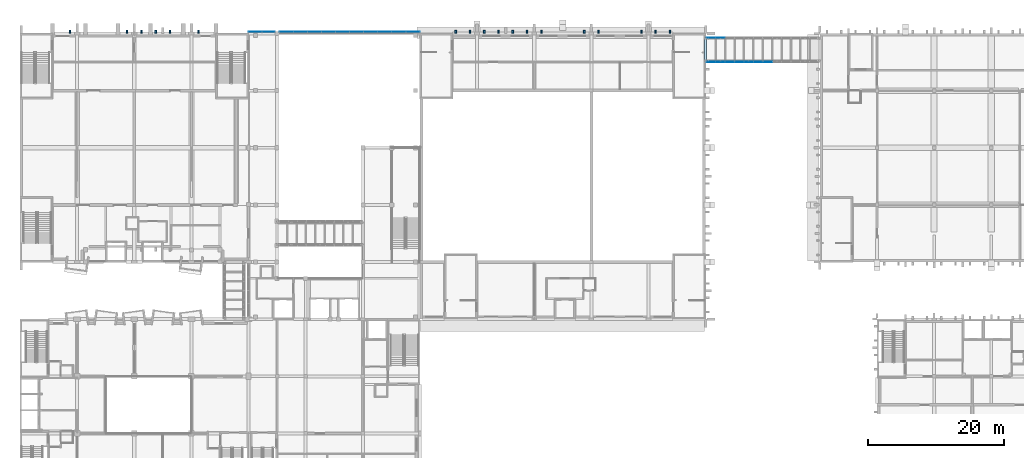
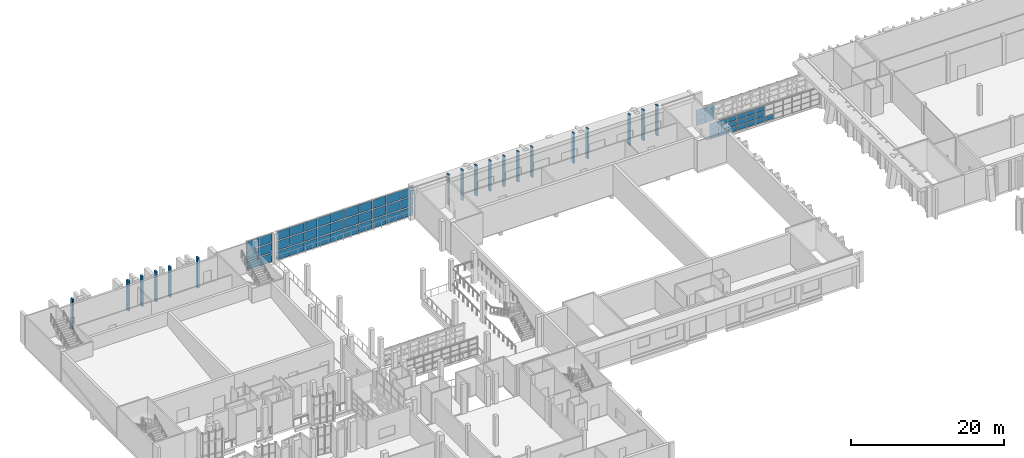
# One storey, part 35 of 86: 80 plates, 4 elements without a shape of their own.
"""IFC4 building model written with IfcOpenShell, lengths in metres."""

from ifc_helpers import new_model, si_unit, direction, frame, origin, origin_2d, place, context, subcontext, project, spatial, rectangle, extrude, material, layer, layer_set, type_object, element, aggregate, save


model = new_model("IFC4")

# Units and contexts
model_context = context("Model", 3, precision=1e-05, world=origin(), true_north=direction((0.0, 1.0)))
body_context = subcontext(model_context, "Body", "Model", "MODEL_VIEW")
ifc_project = project(units=[si_unit("LENGTHUNIT", "METRE"), si_unit("AREAUNIT", "SQUARE_METRE"), si_unit("VOLUMEUNIT", "CUBIC_METRE"), si_unit("PLANEANGLEUNIT", "RADIAN"), si_unit("MASSUNIT", "GRAM", prefix="KILO")], contexts=[model_context])

# Site, building, storey
site_placement = place(None, origin())
site = spatial("IfcSite", under=ifc_project, at=site_placement, CompositionType="ELEMENT")
building_placement = place(site_placement, origin())
building = spatial("IfcBuilding", under=site, at=building_placement, Name="Kiln Court Media Centre", CompositionType="ELEMENT")
storey_placement = place(building_placement, frame((0.0, 0.0, 10.199951171875)))
storey = spatial("IfcBuildingStorey", under=building, at=storey_placement, Name="L02", CompositionType="ELEMENT", Elevation=10.199951171875)

# Plates
ifc_material_1 = material(Name="Concrete C40/50", Category="concrete")
ifc_layer_1 = layer(ifc_material_1, 0.25)
ifc_layer_set_1 = layer_set([ifc_layer_1], Name="Concrete C40/50 shading fin 250")
plate_type_1 = type_object("IfcPlateType", Name="Concrete C40/50 shading fin 250", PredefinedType="SHEET", material=ifc_layer_set_1)
for number, where, z_axis, x_axis, name in (
    (1, (64.050048828125, 67.449951171875, 0.0), (0.0, 0.0, 1.0), (1.0, 0.0, 0.0), "V1 N fin L02"),
    (2, (66.14990234375, 67.449951171875, 0.0), (0.0, 0.0, 1.0), (1.0, 0.0, 0.0), "V1 N fin L02"),
    (3, (68.25, 67.449951171875, 0.0), (0.0, 0.0, 1.0), (1.0, 0.0, 0.0), "V1 N fin L02"),
    (4, (70.35009765625, 67.449951171875, 0.0), (0.0, 0.0, 1.0), (1.0, 0.0, 0.0), "V1 N fin L02"),
    (5, (72.449951171875, 67.449951171875, 0.0), (0.0, 0.0, 1.0), (1.0, 0.0, 0.0), "V1 N fin L02"),
    (6, (74.550048828125, 67.449951171875, 0.0), (0.0, 0.0, 1.0), (1.0, 0.0, 0.0), "V1 N fin L02"),
    (7, (76.64990234375, 67.449951171875, 0.0), (0.0, 0.0, 1.0), (1.0, 0.0, 0.0), "V1 N fin L02"),
    (8, (82.949951171875, 67.449951171875, 0.0), (0.0, 0.0, 1.0), (1.0, 0.0, 0.0), "V1 N fin L02"),
    (9, (85.050048828125, 67.449951171875, 0.0), (0.0, 0.0, 1.0), (1.0, 0.0, 0.0), "V1 N fin L02"),
    (10, (91.35009765625, 67.449951171875, 0.0), (0.0, 0.0, 1.0), (1.0, 0.0, 0.0), "V1 N fin L02"),
    (11, (93.449951171875, 67.449951171875, 0.0), (0.0, 0.0, 1.0), (1.0, 0.0, 0.0), "V1 N fin L02"),
    (12, (95.550048828125, 67.449951171875, 0.0), (0.0, 0.0, 1.0), (1.0, 0.0, 0.0), "V1 N fin L02"),
    (13, (7.35009765625, 67.449951171875, 0.0), (0.0, 0.0, 1.0), (1.0, 0.0, 0.0), "V4 N fin L02"),
    (14, (15.75, 67.449951171875, 0.0), (0.0, 0.0, 1.0), (1.0, 0.0, 0.0), "V4 N fin L02"),
    (15, (17.85009765625, 67.449951171875, 0.0), (0.0, 0.0, 1.0), (1.0, 0.0, 0.0), "V4 N fin L02"),
    (16, (19.949951171875, 67.449951171875, 0.0), (0.0, 0.0, 1.0), (1.0, 0.0, 0.0), "V4 N fin L02"),
    (17, (22.050048828125, 67.449951171875, 0.0), (0.0, 0.0, 1.0), (1.0, 0.0, 0.0), "V4 N fin L02"),
    (18, (26.25, 67.449951171875, 0.0), (0.0, 0.0, 1.0), (1.0, 0.0, 0.0), "V4 N fin L02"),
):
    element("IfcPlate", number, at=place(storey_placement, frame(where, z_axis=z_axis, x_axis=x_axis)), inside=storey, type_object=plate_type_1, Name=name, PredefinedType="SHEET", context=body_context, shape_type="SweptSolid", body=[
        extrude(rectangle(XDim=0.25, YDim=0.5, at=origin_2d()), origin(), (0.0, 0.0, 1.0), 4.800048828125),
    ])

# Curtain wall, plates
ifc_material_2 = material(Name="Aluminium 6063-T6", Category="aluminium")
ifc_layer_2 = layer(ifc_material_2, 0.1201171875)
ifc_layer_set_2 = layer_set([ifc_layer_2], Name="Aluminium unitised curtain wall, bridge")
curtain_wall_type_1 = type_object("IfcCurtainWallType", Name="Aluminium unitised curtain wall, bridge", PredefinedType="USERDEFINED", material=ifc_layer_set_2)
curtain_wall_1_placement = place(storey_placement, origin())
curtain_wall_1 = element("IfcCurtainWall", 19, at=curtain_wall_1_placement, inside=storey, type_object=curtain_wall_type_1, Name="BR-4 side glazing", ObjectType="UNITISED CURTAIN WALL", PredefinedType="USERDEFINED")
ifc_material_3 = material(Name="Aluminium insulated spandrel", Category="aluminium")
ifc_layer_3 = layer(ifc_material_3, 0.028076171875)
ifc_layer_set_3 = layer_set([ifc_layer_3], Name="Insulated aluminium spandrel panel 28")
plate_type_2 = type_object("IfcPlateType", Name="Insulated aluminium spandrel panel 28", PredefinedType="CURTAIN_PANEL", material=ifc_layer_set_3)
plate_1_placement = place(storey_placement, frame((101.604248046875, 63.014892578125, 0.10009765625), z_axis=(0.0, 0.0, 1.0), x_axis=(1.0, 0.0, 0.0)))
plate_1 = element("IfcPlate", 20, at=plate_1_placement, type_object=plate_type_2, Name="CW2-65 panel 1.1", PredefinedType="CURTAIN_PANEL", context=body_context, shape_type="SweptSolid", body=[
    extrude(rectangle(XDim=1.308349609375, YDim=0.028076171875, at=origin_2d()), origin(), (0.0, 0.0, 1.0), 0.74169921875),
])
plate_2_placement = place(storey_placement, frame((101.604248046875, 63.014892578125, 0.94189453125), z_axis=(0.0, 0.0, 1.0), x_axis=(1.0, 0.0, 0.0)))
plate_2 = element("IfcPlate", 21, at=plate_2_placement, type_object=plate_type_2, Name="CW2-65 panel 1.2", PredefinedType="CURTAIN_PANEL", context=body_context, shape_type="SweptSolid", body=[
    extrude(rectangle(XDim=1.308349609375, YDim=0.028076171875, at=origin_2d()), origin(), (0.0, 0.0, 1.0), 0.79150390625),
])
plate_3_placement = place(storey_placement, frame((102.97509765625, 63.014892578125, 0.10009765625), z_axis=(0.0, 0.0, 1.0), x_axis=(1.0, 0.0, 0.0)))
plate_3 = element("IfcPlate", 22, at=plate_3_placement, type_object=plate_type_2, Name="CW2-65 panel 2.1", PredefinedType="CURTAIN_PANEL", context=body_context, shape_type="SweptSolid", body=[
    extrude(rectangle(XDim=1.333251953125, YDim=0.028076171875, at=origin_2d()), origin(), (0.0, 0.0, 1.0), 0.74169921875),
])
plate_4_placement = place(storey_placement, frame((102.97509765625, 63.014892578125, 1.833251953125), z_axis=(0.0, 0.0, 1.0), x_axis=(1.0, 0.0, 0.0)))
plate_4 = element("IfcPlate", 23, at=plate_4_placement, type_object=plate_type_2, Name="CW2-65 panel 2.3", PredefinedType="CURTAIN_PANEL", context=body_context, shape_type="SweptSolid", body=[
    extrude(rectangle(XDim=1.333251953125, YDim=0.028076171875, at=origin_2d()), origin(), (0.0, 0.0, 1.0), 0.74169921875),
])
plate_5_placement = place(storey_placement, frame((104.3583984375, 63.014892578125, 0.10009765625), z_axis=(0.0, 0.0, 1.0), x_axis=(1.0, 0.0, 0.0)))
plate_5 = element("IfcPlate", 24, at=plate_5_placement, type_object=plate_type_2, Name="CW2-65 panel 3.1", PredefinedType="CURTAIN_PANEL", context=body_context, shape_type="SweptSolid", body=[
    extrude(rectangle(XDim=1.333251953125, YDim=0.028076171875, at=origin_2d()), origin(), (0.0, 0.0, 1.0), 0.74169921875),
])
plate_6_placement = place(storey_placement, frame((104.3583984375, 63.014892578125, 0.94189453125), z_axis=(0.0, 0.0, 1.0), x_axis=(1.0, 0.0, 0.0)))
plate_6 = element("IfcPlate", 25, at=plate_6_placement, type_object=plate_type_2, Name="CW2-65 panel 3.2", PredefinedType="CURTAIN_PANEL", context=body_context, shape_type="SweptSolid", body=[
    extrude(rectangle(XDim=1.333251953125, YDim=0.028076171875, at=origin_2d()), origin(), (0.0, 0.0, 1.0), 0.79150390625),
])
plate_7_placement = place(storey_placement, frame((104.3583984375, 63.014892578125, 1.833251953125), z_axis=(0.0, 0.0, 1.0), x_axis=(1.0, 0.0, 0.0)))
plate_7 = element("IfcPlate", 26, at=plate_7_placement, type_object=plate_type_2, Name="CW2-65 panel 3.3", PredefinedType="CURTAIN_PANEL", context=body_context, shape_type="SweptSolid", body=[
    extrude(rectangle(XDim=1.333251953125, YDim=0.028076171875, at=origin_2d()), origin(), (0.0, 0.0, 1.0), 0.74169921875),
])
plate_8_placement = place(storey_placement, frame((105.74169921875, 63.014892578125, 0.10009765625), z_axis=(0.0, 0.0, 1.0), x_axis=(1.0, 0.0, 0.0)))
plate_8 = element("IfcPlate", 27, at=plate_8_placement, type_object=plate_type_2, Name="CW2-65 panel 4.1", PredefinedType="CURTAIN_PANEL", context=body_context, shape_type="SweptSolid", body=[
    extrude(rectangle(XDim=1.333251953125, YDim=0.028076171875, at=origin_2d()), origin(), (0.0, 0.0, 1.0), 0.74169921875),
])
plate_9_placement = place(storey_placement, frame((105.74169921875, 63.014892578125, 0.94189453125), z_axis=(0.0, 0.0, 1.0), x_axis=(1.0, 0.0, 0.0)))
plate_9 = element("IfcPlate", 28, at=plate_9_placement, type_object=plate_type_2, Name="CW2-65 panel 4.2", PredefinedType="CURTAIN_PANEL", context=body_context, shape_type="SweptSolid", body=[
    extrude(rectangle(XDim=1.333251953125, YDim=0.028076171875, at=origin_2d()), origin(), (0.0, 0.0, 1.0), 0.79150390625),
])
plate_10_placement = place(storey_placement, frame((107.125, 63.014892578125, 0.10009765625), z_axis=(0.0, 0.0, 1.0), x_axis=(1.0, 0.0, 0.0)))
plate_10 = element("IfcPlate", 29, at=plate_10_placement, type_object=plate_type_2, Name="CW2-65 panel 5.1", PredefinedType="CURTAIN_PANEL", context=body_context, shape_type="SweptSolid", body=[
    extrude(rectangle(XDim=1.333251953125, YDim=0.028076171875, at=origin_2d()), origin(), (0.0, 0.0, 1.0), 0.74169921875),
])
plate_11_placement = place(storey_placement, frame((107.125, 63.014892578125, 1.833251953125), z_axis=(0.0, 0.0, 1.0), x_axis=(1.0, 0.0, 0.0)))
plate_11 = element("IfcPlate", 30, at=plate_11_placement, type_object=plate_type_2, Name="CW2-65 panel 5.3", PredefinedType="CURTAIN_PANEL", context=body_context, shape_type="SweptSolid", body=[
    extrude(rectangle(XDim=1.333251953125, YDim=0.028076171875, at=origin_2d()), origin(), (0.0, 0.0, 1.0), 0.74169921875),
])
plate_12_placement = place(storey_placement, frame((108.50830078125, 63.014892578125, 0.10009765625), z_axis=(0.0, 0.0, 1.0), x_axis=(1.0, 0.0, 0.0)))
plate_12 = element("IfcPlate", 31, at=plate_12_placement, type_object=plate_type_2, Name="CW2-65 panel 6.1", PredefinedType="CURTAIN_PANEL", context=body_context, shape_type="SweptSolid", body=[
    extrude(rectangle(XDim=1.333251953125, YDim=0.028076171875, at=origin_2d()), origin(), (0.0, 0.0, 1.0), 0.74169921875),
])
plate_13_placement = place(storey_placement, frame((108.50830078125, 63.014892578125, 0.94189453125), z_axis=(0.0, 0.0, 1.0), x_axis=(1.0, 0.0, 0.0)))
plate_13 = element("IfcPlate", 32, at=plate_13_placement, type_object=plate_type_2, Name="CW2-65 panel 6.2", PredefinedType="CURTAIN_PANEL", context=body_context, shape_type="SweptSolid", body=[
    extrude(rectangle(XDim=1.333251953125, YDim=0.028076171875, at=origin_2d()), origin(), (0.0, 0.0, 1.0), 0.79150390625),
])
plate_14_placement = place(storey_placement, frame((108.50830078125, 63.014892578125, 1.833251953125), z_axis=(0.0, 0.0, 1.0), x_axis=(1.0, 0.0, 0.0)))
plate_14 = element("IfcPlate", 33, at=plate_14_placement, type_object=plate_type_2, Name="CW2-65 panel 6.3", PredefinedType="CURTAIN_PANEL", context=body_context, shape_type="SweptSolid", body=[
    extrude(rectangle(XDim=1.333251953125, YDim=0.028076171875, at=origin_2d()), origin(), (0.0, 0.0, 1.0), 0.74169921875),
])
plate_15_placement = place(storey_placement, frame((109.8916015625, 63.014892578125, 0.10009765625), z_axis=(0.0, 0.0, 1.0), x_axis=(1.0, 0.0, 0.0)))
plate_15 = element("IfcPlate", 34, at=plate_15_placement, type_object=plate_type_2, Name="CW2-65 panel 7.1", PredefinedType="CURTAIN_PANEL", context=body_context, shape_type="SweptSolid", body=[
    extrude(rectangle(XDim=1.333251953125, YDim=0.028076171875, at=origin_2d()), origin(), (0.0, 0.0, 1.0), 0.74169921875),
])

curtain_wall_2_placement = place(storey_placement, origin())
curtain_wall_2 = element("IfcCurtainWall", 35, at=curtain_wall_2_placement, inside=storey, type_object=curtain_wall_type_1, Name="BR-4 side glazing", ObjectType="UNITISED CURTAIN WALL", PredefinedType="USERDEFINED")
plate_16_placement = place(storey_placement, frame((101.604248046875, 66.5849609375, 0.10009765625), z_axis=(0.0, 0.0, 1.0), x_axis=(1.0, 0.0, 0.0)))
plate_16 = element("IfcPlate", 36, at=plate_16_placement, type_object=plate_type_2, Name="CW2-66 panel 1.1", PredefinedType="CURTAIN_PANEL", context=body_context, shape_type="SweptSolid", body=[
    extrude(rectangle(XDim=1.308349609375, YDim=0.028076171875, at=origin_2d()), origin(), (0.0, 0.0, 1.0), 0.74169921875),
])
plate_17_placement = place(storey_placement, frame((101.604248046875, 66.5849609375, 0.94189453125), z_axis=(0.0, 0.0, 1.0), x_axis=(1.0, 0.0, 0.0)))
plate_17 = element("IfcPlate", 37, at=plate_17_placement, type_object=plate_type_2, Name="CW2-66 panel 1.2", PredefinedType="CURTAIN_PANEL", context=body_context, shape_type="SweptSolid", body=[
    extrude(rectangle(XDim=1.308349609375, YDim=0.028076171875, at=origin_2d()), origin(), (0.0, 0.0, 1.0), 0.79150390625),
])
plate_18_placement = place(storey_placement, frame((102.97509765625, 66.5849609375, 0.10009765625), z_axis=(0.0, 0.0, 1.0), x_axis=(1.0, 0.0, 0.0)))
plate_18 = element("IfcPlate", 38, at=plate_18_placement, type_object=plate_type_2, Name="CW2-66 panel 2.1", PredefinedType="CURTAIN_PANEL", context=body_context, shape_type="SweptSolid", body=[
    extrude(rectangle(XDim=1.333251953125, YDim=0.028076171875, at=origin_2d()), origin(), (0.0, 0.0, 1.0), 0.74169921875),
])
plate_19_placement = place(storey_placement, frame((102.97509765625, 66.5849609375, 1.833251953125), z_axis=(0.0, 0.0, 1.0), x_axis=(1.0, 0.0, 0.0)))
plate_19 = element("IfcPlate", 39, at=plate_19_placement, type_object=plate_type_2, Name="CW2-66 panel 2.3", PredefinedType="CURTAIN_PANEL", context=body_context, shape_type="SweptSolid", body=[
    extrude(rectangle(XDim=1.333251953125, YDim=0.028076171875, at=origin_2d()), origin(), (0.0, 0.0, 1.0), 0.74169921875),
])

# Plate
ifc_material_4 = material(Name="Laminated low-E glazing", Category="glass")
ifc_layer_4 = layer(ifc_material_4, 0.028076171875)
ifc_layer_set_4 = layer_set([ifc_layer_4], Name="Laminated low-E glazed panel 28")
plate_type_3 = type_object("IfcPlateType", Name="Laminated low-E glazed panel 28", PredefinedType="CURTAIN_PANEL", material=ifc_layer_set_4)
plate_20_placement = place(storey_placement, frame((101.604248046875, 63.014892578125, 1.833251953125), z_axis=(0.0, 0.0, 1.0), x_axis=(1.0, 0.0, 0.0)))
plate_20 = element("IfcPlate", 40, at=plate_20_placement, type_object=plate_type_3, Name="CW2-65 panel 1.3", PredefinedType="CURTAIN_PANEL", context=body_context, shape_type="SweptSolid", body=[
    extrude(rectangle(XDim=1.308349609375, YDim=0.028076171875, at=origin_2d()), origin(), (0.0, 0.0, 1.0), 0.74169921875),
])

plate_21_placement = place(storey_placement, frame((102.97509765625, 63.014892578125, 0.94189453125), z_axis=(0.0, 0.0, 1.0), x_axis=(1.0, 0.0, 0.0)))
plate_21 = element("IfcPlate", 41, at=plate_21_placement, type_object=plate_type_3, Name="CW2-65 panel 2.2", PredefinedType="CURTAIN_PANEL", context=body_context, shape_type="SweptSolid", body=[
    extrude(rectangle(XDim=1.333251953125, YDim=0.028076171875, at=origin_2d()), origin(), (0.0, 0.0, 1.0), 0.79150390625),
])

plate_22_placement = place(storey_placement, frame((105.74169921875, 63.014892578125, 1.833251953125), z_axis=(0.0, 0.0, 1.0), x_axis=(1.0, 0.0, 0.0)))
plate_22 = element("IfcPlate", 42, at=plate_22_placement, type_object=plate_type_3, Name="CW2-65 panel 4.3", PredefinedType="CURTAIN_PANEL", context=body_context, shape_type="SweptSolid", body=[
    extrude(rectangle(XDim=1.333251953125, YDim=0.028076171875, at=origin_2d()), origin(), (0.0, 0.0, 1.0), 0.74169921875),
])

plate_23_placement = place(storey_placement, frame((107.125, 63.014892578125, 0.94189453125), z_axis=(0.0, 0.0, 1.0), x_axis=(1.0, 0.0, 0.0)))
plate_23 = element("IfcPlate", 43, at=plate_23_placement, type_object=plate_type_3, Name="CW2-65 panel 5.2", PredefinedType="CURTAIN_PANEL", context=body_context, shape_type="SweptSolid", body=[
    extrude(rectangle(XDim=1.333251953125, YDim=0.028076171875, at=origin_2d()), origin(), (0.0, 0.0, 1.0), 0.79150390625),
])

aggregate(curtain_wall_1, [plate_1, plate_2, plate_20, plate_3, plate_21, plate_4, plate_5, plate_6, plate_7, plate_8, plate_9, plate_22, plate_10, plate_23, plate_11, plate_12, plate_13, plate_14, plate_15])

plate_24_placement = place(storey_placement, frame((101.604248046875, 66.5849609375, 1.833251953125), z_axis=(0.0, 0.0, 1.0), x_axis=(1.0, 0.0, 0.0)))
plate_24 = element("IfcPlate", 44, at=plate_24_placement, type_object=plate_type_3, Name="CW2-66 panel 1.3", PredefinedType="CURTAIN_PANEL", context=body_context, shape_type="SweptSolid", body=[
    extrude(rectangle(XDim=1.308349609375, YDim=0.028076171875, at=origin_2d()), origin(), (0.0, 0.0, 1.0), 0.74169921875),
])

plate_25_placement = place(storey_placement, frame((102.97509765625, 66.5849609375, 0.94189453125), z_axis=(0.0, 0.0, 1.0), x_axis=(1.0, 0.0, 0.0)))
plate_25 = element("IfcPlate", 45, at=plate_25_placement, type_object=plate_type_3, Name="CW2-66 panel 2.2", PredefinedType="CURTAIN_PANEL", context=body_context, shape_type="SweptSolid", body=[
    extrude(rectangle(XDim=1.333251953125, YDim=0.028076171875, at=origin_2d()), origin(), (0.0, 0.0, 1.0), 0.79150390625),
])

aggregate(curtain_wall_2, [plate_16, plate_17, plate_24, plate_18, plate_25, plate_19])

# Curtain wall, plates
ifc_material_5 = material(Name="Aluminium 6063-T6", Category="aluminium")
ifc_layer_5 = layer(ifc_material_5, 0.1201171875)
ifc_layer_set_5 = layer_set([ifc_layer_5], Name="Aluminium stick curtain wall, foyer")
curtain_wall_type_2 = type_object("IfcCurtainWallType", Name="Aluminium stick curtain wall, foyer", PredefinedType="USERDEFINED", material=ifc_layer_set_5)
curtain_wall_3_placement = place(storey_placement, origin())
curtain_wall_3 = element("IfcCurtainWall", 46, at=curtain_wall_3_placement, inside=storey, type_object=curtain_wall_type_2, Name="Foyer north glazing L02", ObjectType="STICK CURTAIN WALL", PredefinedType="USERDEFINED")
ifc_material_6 = material(Name="Laminated low-E glazing", Category="glass")
ifc_layer_6 = layer(ifc_material_6, 0.035888671875)
ifc_layer_set_6 = layer_set([ifc_layer_6], Name="Laminated low-E glazed panel 36")
plate_type_4 = type_object("IfcPlateType", Name="Laminated low-E glazed panel 36", PredefinedType="CURTAIN_PANEL", material=ifc_layer_set_6)
plate_26_placement = place(storey_placement, frame((34.590087890625, 67.444580078125, 0.150146484375), z_axis=(0.0, 0.0, 1.0), x_axis=(1.0, 0.0, 0.0)))
plate_26 = element("IfcPlate", 47, at=plate_26_placement, type_object=plate_type_4, Name="CW2-60 panel 1.1", PredefinedType="CURTAIN_PANEL", context=body_context, shape_type="SweptSolid", body=[
    extrude(rectangle(XDim=1.860107421875, YDim=0.035888671875, at=origin_2d()), origin(), (0.0, 0.0, 1.0), 1.375),
])
plate_27_placement = place(storey_placement, frame((34.590087890625, 67.444580078125, 1.67529296875), z_axis=(0.0, 0.0, 1.0), x_axis=(1.0, 0.0, 0.0)))
plate_27 = element("IfcPlate", 48, at=plate_27_placement, type_object=plate_type_4, Name="CW2-60 panel 1.2", PredefinedType="CURTAIN_PANEL", context=body_context, shape_type="SweptSolid", body=[
    extrude(rectangle(XDim=1.860107421875, YDim=0.035888671875, at=origin_2d()), origin(), (0.0, 0.0, 1.0), 1.449951171875),
])
plate_28_placement = place(storey_placement, frame((34.590087890625, 67.444580078125, 3.275146484375), z_axis=(0.0, 0.0, 1.0), x_axis=(1.0, 0.0, 0.0)))
plate_28 = element("IfcPlate", 49, at=plate_28_placement, type_object=plate_type_4, Name="CW2-60 panel 1.3", PredefinedType="CURTAIN_PANEL", context=body_context, shape_type="SweptSolid", body=[
    extrude(rectangle(XDim=1.860107421875, YDim=0.035888671875, at=origin_2d()), origin(), (0.0, 0.0, 1.0), 1.375),
])
plate_29_placement = place(storey_placement, frame((36.510009765625, 67.444580078125, 0.150146484375), z_axis=(0.0, 0.0, 1.0), x_axis=(1.0, 0.0, 0.0)))
plate_29 = element("IfcPlate", 50, at=plate_29_placement, type_object=plate_type_4, Name="CW2-60 panel 2.1", PredefinedType="CURTAIN_PANEL", context=body_context, shape_type="SweptSolid", body=[
    extrude(rectangle(XDim=1.860107421875, YDim=0.035888671875, at=origin_2d()), origin(), (0.0, 0.0, 1.0), 1.375),
])
plate_30_placement = place(storey_placement, frame((36.510009765625, 67.444580078125, 1.67529296875), z_axis=(0.0, 0.0, 1.0), x_axis=(1.0, 0.0, 0.0)))
plate_30 = element("IfcPlate", 51, at=plate_30_placement, type_object=plate_type_4, Name="CW2-60 panel 2.2", PredefinedType="CURTAIN_PANEL", context=body_context, shape_type="SweptSolid", body=[
    extrude(rectangle(XDim=1.860107421875, YDim=0.035888671875, at=origin_2d()), origin(), (0.0, 0.0, 1.0), 1.449951171875),
])
plate_31_placement = place(storey_placement, frame((36.510009765625, 67.444580078125, 3.275146484375), z_axis=(0.0, 0.0, 1.0), x_axis=(1.0, 0.0, 0.0)))
plate_31 = element("IfcPlate", 52, at=plate_31_placement, type_object=plate_type_4, Name="CW2-60 panel 2.3", PredefinedType="CURTAIN_PANEL", context=body_context, shape_type="SweptSolid", body=[
    extrude(rectangle(XDim=1.860107421875, YDim=0.035888671875, at=origin_2d()), origin(), (0.0, 0.0, 1.0), 1.375),
])
aggregate(curtain_wall_3, [plate_26, plate_27, plate_28, plate_29, plate_30, plate_31])

curtain_wall_4_placement = place(storey_placement, origin())
curtain_wall_4 = element("IfcCurtainWall", 53, at=curtain_wall_4_placement, inside=storey, type_object=curtain_wall_type_2, Name="Foyer north glazing L02", ObjectType="STICK CURTAIN WALL", PredefinedType="USERDEFINED")
plate_32_placement = place(storey_placement, frame((39.14990234375, 67.444580078125, 0.150146484375), z_axis=(0.0, 0.0, 1.0), x_axis=(1.0, 0.0, 0.0)))
plate_32 = element("IfcPlate", 54, at=plate_32_placement, type_object=plate_type_4, Name="CW2-61 panel 1.1", PredefinedType="CURTAIN_PANEL", context=body_context, shape_type="SweptSolid", body=[
    extrude(rectangle(XDim=1.97998046875, YDim=0.035888671875, at=origin_2d()), origin(), (0.0, 0.0, 1.0), 1.375),
])
plate_33_placement = place(storey_placement, frame((39.14990234375, 67.444580078125, 1.67529296875), z_axis=(0.0, 0.0, 1.0), x_axis=(1.0, 0.0, 0.0)))
plate_33 = element("IfcPlate", 55, at=plate_33_placement, type_object=plate_type_4, Name="CW2-61 panel 1.2", PredefinedType="CURTAIN_PANEL", context=body_context, shape_type="SweptSolid", body=[
    extrude(rectangle(XDim=1.97998046875, YDim=0.035888671875, at=origin_2d()), origin(), (0.0, 0.0, 1.0), 1.449951171875),
])
plate_34_placement = place(storey_placement, frame((39.14990234375, 67.444580078125, 3.275146484375), z_axis=(0.0, 0.0, 1.0), x_axis=(1.0, 0.0, 0.0)))
plate_34 = element("IfcPlate", 56, at=plate_34_placement, type_object=plate_type_4, Name="CW2-61 panel 1.3", PredefinedType="CURTAIN_PANEL", context=body_context, shape_type="SweptSolid", body=[
    extrude(rectangle(XDim=1.97998046875, YDim=0.035888671875, at=origin_2d()), origin(), (0.0, 0.0, 1.0), 1.375),
])
plate_35_placement = place(storey_placement, frame((41.205078125, 67.444580078125, 0.150146484375), z_axis=(0.0, 0.0, 1.0), x_axis=(1.0, 0.0, 0.0)))
plate_35 = element("IfcPlate", 57, at=plate_35_placement, type_object=plate_type_4, Name="CW2-61 panel 2.1", PredefinedType="CURTAIN_PANEL", context=body_context, shape_type="SweptSolid", body=[
    extrude(rectangle(XDim=2.010009765625, YDim=0.035888671875, at=origin_2d()), origin(), (0.0, 0.0, 1.0), 1.375),
])
plate_36_placement = place(storey_placement, frame((41.205078125, 67.444580078125, 1.67529296875), z_axis=(0.0, 0.0, 1.0), x_axis=(1.0, 0.0, 0.0)))
plate_36 = element("IfcPlate", 58, at=plate_36_placement, type_object=plate_type_4, Name="CW2-61 panel 2.2", PredefinedType="CURTAIN_PANEL", context=body_context, shape_type="SweptSolid", body=[
    extrude(rectangle(XDim=2.010009765625, YDim=0.035888671875, at=origin_2d()), origin(), (0.0, 0.0, 1.0), 1.449951171875),
])
plate_37_placement = place(storey_placement, frame((41.205078125, 67.444580078125, 3.275146484375), z_axis=(0.0, 0.0, 1.0), x_axis=(1.0, 0.0, 0.0)))
plate_37 = element("IfcPlate", 59, at=plate_37_placement, type_object=plate_type_4, Name="CW2-61 panel 2.3", PredefinedType="CURTAIN_PANEL", context=body_context, shape_type="SweptSolid", body=[
    extrude(rectangle(XDim=2.010009765625, YDim=0.035888671875, at=origin_2d()), origin(), (0.0, 0.0, 1.0), 1.375),
])
plate_38_placement = place(storey_placement, frame((43.27490234375, 67.444580078125, 0.150146484375), z_axis=(0.0, 0.0, 1.0), x_axis=(1.0, 0.0, 0.0)))
plate_38 = element("IfcPlate", 60, at=plate_38_placement, type_object=plate_type_4, Name="CW2-61 panel 3.1", PredefinedType="CURTAIN_PANEL", context=body_context, shape_type="SweptSolid", body=[
    extrude(rectangle(XDim=2.010009765625, YDim=0.035888671875, at=origin_2d()), origin(), (0.0, 0.0, 1.0), 1.375),
])
plate_39_placement = place(storey_placement, frame((43.27490234375, 67.444580078125, 1.67529296875), z_axis=(0.0, 0.0, 1.0), x_axis=(1.0, 0.0, 0.0)))
plate_39 = element("IfcPlate", 61, at=plate_39_placement, type_object=plate_type_4, Name="CW2-61 panel 3.2", PredefinedType="CURTAIN_PANEL", context=body_context, shape_type="SweptSolid", body=[
    extrude(rectangle(XDim=2.010009765625, YDim=0.035888671875, at=origin_2d()), origin(), (0.0, 0.0, 1.0), 1.449951171875),
])
plate_40_placement = place(storey_placement, frame((43.27490234375, 67.444580078125, 3.275146484375), z_axis=(0.0, 0.0, 1.0), x_axis=(1.0, 0.0, 0.0)))
plate_40 = element("IfcPlate", 62, at=plate_40_placement, type_object=plate_type_4, Name="CW2-61 panel 3.3", PredefinedType="CURTAIN_PANEL", context=body_context, shape_type="SweptSolid", body=[
    extrude(rectangle(XDim=2.010009765625, YDim=0.035888671875, at=origin_2d()), origin(), (0.0, 0.0, 1.0), 1.375),
])
plate_41_placement = place(storey_placement, frame((45.344970703125, 67.444580078125, 0.150146484375), z_axis=(0.0, 0.0, 1.0), x_axis=(1.0, 0.0, 0.0)))
plate_41 = element("IfcPlate", 63, at=plate_41_placement, type_object=plate_type_4, Name="CW2-61 panel 4.1", PredefinedType="CURTAIN_PANEL", context=body_context, shape_type="SweptSolid", body=[
    extrude(rectangle(XDim=2.010009765625, YDim=0.035888671875, at=origin_2d()), origin(), (0.0, 0.0, 1.0), 1.375),
])
plate_42_placement = place(storey_placement, frame((45.344970703125, 67.444580078125, 1.67529296875), z_axis=(0.0, 0.0, 1.0), x_axis=(1.0, 0.0, 0.0)))
plate_42 = element("IfcPlate", 64, at=plate_42_placement, type_object=plate_type_4, Name="CW2-61 panel 4.2", PredefinedType="CURTAIN_PANEL", context=body_context, shape_type="SweptSolid", body=[
    extrude(rectangle(XDim=2.010009765625, YDim=0.035888671875, at=origin_2d()), origin(), (0.0, 0.0, 1.0), 1.449951171875),
])
plate_43_placement = place(storey_placement, frame((45.344970703125, 67.444580078125, 3.275146484375), z_axis=(0.0, 0.0, 1.0), x_axis=(1.0, 0.0, 0.0)))
plate_43 = element("IfcPlate", 65, at=plate_43_placement, type_object=plate_type_4, Name="CW2-61 panel 4.3", PredefinedType="CURTAIN_PANEL", context=body_context, shape_type="SweptSolid", body=[
    extrude(rectangle(XDim=2.010009765625, YDim=0.035888671875, at=origin_2d()), origin(), (0.0, 0.0, 1.0), 1.375),
])
plate_44_placement = place(storey_placement, frame((47.4150390625, 67.444580078125, 0.150146484375), z_axis=(0.0, 0.0, 1.0), x_axis=(1.0, 0.0, 0.0)))
plate_44 = element("IfcPlate", 66, at=plate_44_placement, type_object=plate_type_4, Name="CW2-61 panel 5.1", PredefinedType="CURTAIN_PANEL", context=body_context, shape_type="SweptSolid", body=[
    extrude(rectangle(XDim=2.010009765625, YDim=0.035888671875, at=origin_2d()), origin(), (0.0, 0.0, 1.0), 1.375),
])
plate_45_placement = place(storey_placement, frame((47.4150390625, 67.444580078125, 1.67529296875), z_axis=(0.0, 0.0, 1.0), x_axis=(1.0, 0.0, 0.0)))
plate_45 = element("IfcPlate", 67, at=plate_45_placement, type_object=plate_type_4, Name="CW2-61 panel 5.2", PredefinedType="CURTAIN_PANEL", context=body_context, shape_type="SweptSolid", body=[
    extrude(rectangle(XDim=2.010009765625, YDim=0.035888671875, at=origin_2d()), origin(), (0.0, 0.0, 1.0), 1.449951171875),
])
plate_46_placement = place(storey_placement, frame((47.4150390625, 67.444580078125, 3.275146484375), z_axis=(0.0, 0.0, 1.0), x_axis=(1.0, 0.0, 0.0)))
plate_46 = element("IfcPlate", 68, at=plate_46_placement, type_object=plate_type_4, Name="CW2-61 panel 5.3", PredefinedType="CURTAIN_PANEL", context=body_context, shape_type="SweptSolid", body=[
    extrude(rectangle(XDim=2.010009765625, YDim=0.035888671875, at=origin_2d()), origin(), (0.0, 0.0, 1.0), 1.375),
])
plate_47_placement = place(storey_placement, frame((49.485107421875, 67.444580078125, 0.150146484375), z_axis=(0.0, 0.0, 1.0), x_axis=(1.0, 0.0, 0.0)))
plate_47 = element("IfcPlate", 69, at=plate_47_placement, type_object=plate_type_4, Name="CW2-61 panel 6.1", PredefinedType="CURTAIN_PANEL", context=body_context, shape_type="SweptSolid", body=[
    extrude(rectangle(XDim=2.010009765625, YDim=0.035888671875, at=origin_2d()), origin(), (0.0, 0.0, 1.0), 1.375),
])
plate_48_placement = place(storey_placement, frame((49.485107421875, 67.444580078125, 1.67529296875), z_axis=(0.0, 0.0, 1.0), x_axis=(1.0, 0.0, 0.0)))
plate_48 = element("IfcPlate", 70, at=plate_48_placement, type_object=plate_type_4, Name="CW2-61 panel 6.2", PredefinedType="CURTAIN_PANEL", context=body_context, shape_type="SweptSolid", body=[
    extrude(rectangle(XDim=2.010009765625, YDim=0.035888671875, at=origin_2d()), origin(), (0.0, 0.0, 1.0), 1.449951171875),
])
plate_49_placement = place(storey_placement, frame((49.485107421875, 67.444580078125, 3.275146484375), z_axis=(0.0, 0.0, 1.0), x_axis=(1.0, 0.0, 0.0)))
plate_49 = element("IfcPlate", 71, at=plate_49_placement, type_object=plate_type_4, Name="CW2-61 panel 6.3", PredefinedType="CURTAIN_PANEL", context=body_context, shape_type="SweptSolid", body=[
    extrude(rectangle(XDim=2.010009765625, YDim=0.035888671875, at=origin_2d()), origin(), (0.0, 0.0, 1.0), 1.375),
])
plate_50_placement = place(storey_placement, frame((51.554931640625, 67.444580078125, 0.150146484375), z_axis=(0.0, 0.0, 1.0), x_axis=(1.0, 0.0, 0.0)))
plate_50 = element("IfcPlate", 72, at=plate_50_placement, type_object=plate_type_4, Name="CW2-61 panel 7.1", PredefinedType="CURTAIN_PANEL", context=body_context, shape_type="SweptSolid", body=[
    extrude(rectangle(XDim=2.010009765625, YDim=0.035888671875, at=origin_2d()), origin(), (0.0, 0.0, 1.0), 1.375),
])
plate_51_placement = place(storey_placement, frame((51.554931640625, 67.444580078125, 1.67529296875), z_axis=(0.0, 0.0, 1.0), x_axis=(1.0, 0.0, 0.0)))
plate_51 = element("IfcPlate", 73, at=plate_51_placement, type_object=plate_type_4, Name="CW2-61 panel 7.2", PredefinedType="CURTAIN_PANEL", context=body_context, shape_type="SweptSolid", body=[
    extrude(rectangle(XDim=2.010009765625, YDim=0.035888671875, at=origin_2d()), origin(), (0.0, 0.0, 1.0), 1.449951171875),
])
plate_52_placement = place(storey_placement, frame((51.554931640625, 67.444580078125, 3.275146484375), z_axis=(0.0, 0.0, 1.0), x_axis=(1.0, 0.0, 0.0)))
plate_52 = element("IfcPlate", 74, at=plate_52_placement, type_object=plate_type_4, Name="CW2-61 panel 7.3", PredefinedType="CURTAIN_PANEL", context=body_context, shape_type="SweptSolid", body=[
    extrude(rectangle(XDim=2.010009765625, YDim=0.035888671875, at=origin_2d()), origin(), (0.0, 0.0, 1.0), 1.375),
])
plate_53_placement = place(storey_placement, frame((53.625, 67.444580078125, 0.150146484375), z_axis=(0.0, 0.0, 1.0), x_axis=(1.0, 0.0, 0.0)))
plate_53 = element("IfcPlate", 75, at=plate_53_placement, type_object=plate_type_4, Name="CW2-61 panel 8.1", PredefinedType="CURTAIN_PANEL", context=body_context, shape_type="SweptSolid", body=[
    extrude(rectangle(XDim=2.010009765625, YDim=0.035888671875, at=origin_2d()), origin(), (0.0, 0.0, 1.0), 1.375),
])
plate_54_placement = place(storey_placement, frame((53.625, 67.444580078125, 1.67529296875), z_axis=(0.0, 0.0, 1.0), x_axis=(1.0, 0.0, 0.0)))
plate_54 = element("IfcPlate", 76, at=plate_54_placement, type_object=plate_type_4, Name="CW2-61 panel 8.2", PredefinedType="CURTAIN_PANEL", context=body_context, shape_type="SweptSolid", body=[
    extrude(rectangle(XDim=2.010009765625, YDim=0.035888671875, at=origin_2d()), origin(), (0.0, 0.0, 1.0), 1.449951171875),
])
plate_55_placement = place(storey_placement, frame((53.625, 67.444580078125, 3.275146484375), z_axis=(0.0, 0.0, 1.0), x_axis=(1.0, 0.0, 0.0)))
plate_55 = element("IfcPlate", 77, at=plate_55_placement, type_object=plate_type_4, Name="CW2-61 panel 8.3", PredefinedType="CURTAIN_PANEL", context=body_context, shape_type="SweptSolid", body=[
    extrude(rectangle(XDim=2.010009765625, YDim=0.035888671875, at=origin_2d()), origin(), (0.0, 0.0, 1.0), 1.375),
])
plate_56_placement = place(storey_placement, frame((55.695068359375, 67.444580078125, 0.150146484375), z_axis=(0.0, 0.0, 1.0), x_axis=(1.0, 0.0, 0.0)))
plate_56 = element("IfcPlate", 78, at=plate_56_placement, type_object=plate_type_4, Name="CW2-61 panel 9.1", PredefinedType="CURTAIN_PANEL", context=body_context, shape_type="SweptSolid", body=[
    extrude(rectangle(XDim=2.010009765625, YDim=0.035888671875, at=origin_2d()), origin(), (0.0, 0.0, 1.0), 1.375),
])
plate_57_placement = place(storey_placement, frame((55.695068359375, 67.444580078125, 1.67529296875), z_axis=(0.0, 0.0, 1.0), x_axis=(1.0, 0.0, 0.0)))
plate_57 = element("IfcPlate", 79, at=plate_57_placement, type_object=plate_type_4, Name="CW2-61 panel 9.2", PredefinedType="CURTAIN_PANEL", context=body_context, shape_type="SweptSolid", body=[
    extrude(rectangle(XDim=2.010009765625, YDim=0.035888671875, at=origin_2d()), origin(), (0.0, 0.0, 1.0), 1.449951171875),
])
plate_58_placement = place(storey_placement, frame((55.695068359375, 67.444580078125, 3.275146484375), z_axis=(0.0, 0.0, 1.0), x_axis=(1.0, 0.0, 0.0)))
plate_58 = element("IfcPlate", 80, at=plate_58_placement, type_object=plate_type_4, Name="CW2-61 panel 9.3", PredefinedType="CURTAIN_PANEL", context=body_context, shape_type="SweptSolid", body=[
    extrude(rectangle(XDim=2.010009765625, YDim=0.035888671875, at=origin_2d()), origin(), (0.0, 0.0, 1.0), 1.375),
])
plate_59_placement = place(storey_placement, frame((57.75, 67.444580078125, 0.150146484375), z_axis=(0.0, 0.0, 1.0), x_axis=(1.0, 0.0, 0.0)))
plate_59 = element("IfcPlate", 81, at=plate_59_placement, type_object=plate_type_4, Name="CW2-61 panel 10.1", PredefinedType="CURTAIN_PANEL", context=body_context, shape_type="SweptSolid", body=[
    extrude(rectangle(XDim=1.97998046875, YDim=0.035888671875, at=origin_2d()), origin(), (0.0, 0.0, 1.0), 1.375),
])
plate_60_placement = place(storey_placement, frame((57.75, 67.444580078125, 1.67529296875), z_axis=(0.0, 0.0, 1.0), x_axis=(1.0, 0.0, 0.0)))
plate_60 = element("IfcPlate", 82, at=plate_60_placement, type_object=plate_type_4, Name="CW2-61 panel 10.2", PredefinedType="CURTAIN_PANEL", context=body_context, shape_type="SweptSolid", body=[
    extrude(rectangle(XDim=1.97998046875, YDim=0.035888671875, at=origin_2d()), origin(), (0.0, 0.0, 1.0), 1.449951171875),
])
plate_61_placement = place(storey_placement, frame((57.75, 67.444580078125, 3.275146484375), z_axis=(0.0, 0.0, 1.0), x_axis=(1.0, 0.0, 0.0)))
plate_61 = element("IfcPlate", 83, at=plate_61_placement, type_object=plate_type_4, Name="CW2-61 panel 10.3", PredefinedType="CURTAIN_PANEL", context=body_context, shape_type="SweptSolid", body=[
    extrude(rectangle(XDim=1.97998046875, YDim=0.035888671875, at=origin_2d()), origin(), (0.0, 0.0, 1.0), 1.375),
])
aggregate(curtain_wall_4, [plate_32, plate_33, plate_34, plate_35, plate_36, plate_37, plate_38, plate_39, plate_40, plate_41, plate_42, plate_43, plate_44, plate_45, plate_46, plate_47, plate_48, plate_49, plate_50, plate_51, plate_52, plate_53, plate_54, plate_55, plate_56, plate_57, plate_58, plate_59, plate_60, plate_61])

# Plate
ifc_material_7 = material(Name="Steel ASTM A572 Gr 50", Category="steel")
ifc_layer_7 = layer(ifc_material_7, 0.010009765625)
ifc_layer_set_7 = layer_set([ifc_layer_7], Name="Steel ASTM A572 Gr 50 300x3200x10 movement joint cover plate")
plate_type_5 = type_object("IfcPlateType", Name="Steel ASTM A572 Gr 50 300x3200x10 movement joint cover plate", PredefinedType="USERDEFINED", material=ifc_layer_set_7)
plate_62_placement = place(storey_placement, frame((100.800048828125, 64.800048828125, -0.001953125), z_axis=(0.0, 0.0, 1.0), x_axis=(1.0, 0.0, 0.0)))
element("IfcPlate", 84, at=plate_62_placement, inside=storey, type_object=plate_type_5, Name="bridge BR-4 joint 1 movement joint cover plate", ObjectType="MOVEMENT JOINT COVER PLATE", PredefinedType="USERDEFINED", context=body_context, shape_type="SweptSolid", body=[
    extrude(rectangle(XDim=0.300048828125, YDim=3.199951171875, at=origin_2d()), origin(), (0.0, 0.0, 1.0), 0.010009765625),
])

save(model, "model.ifc")
